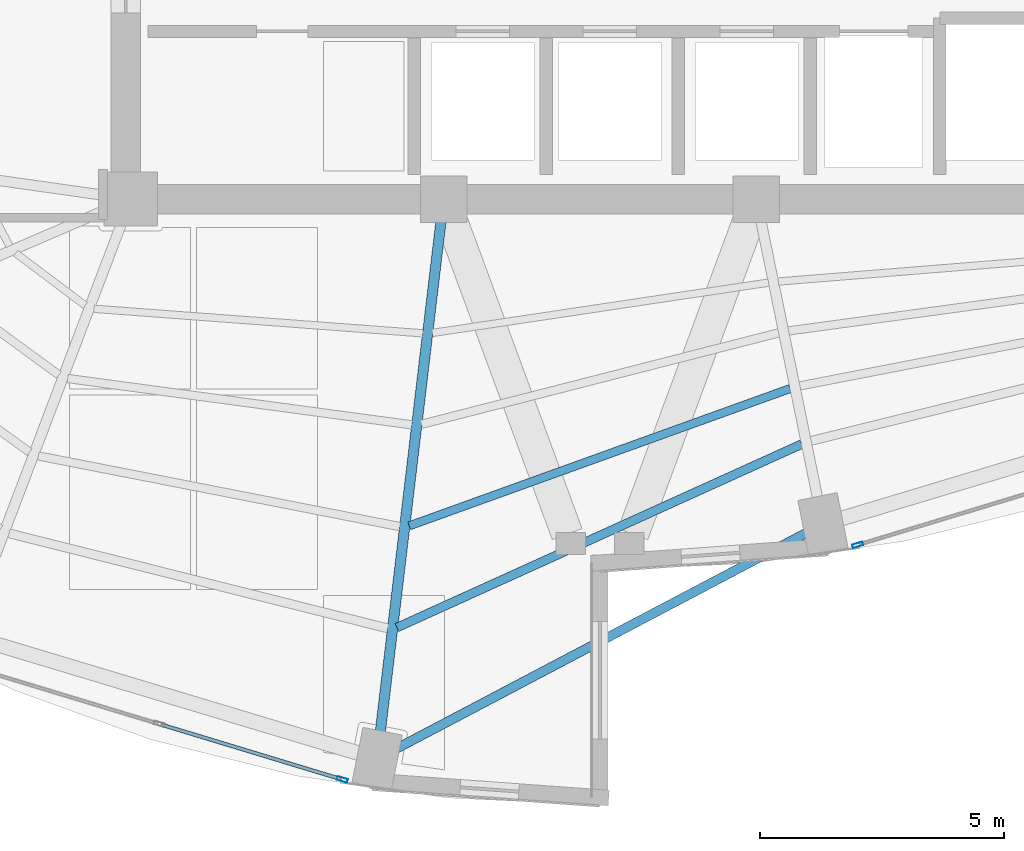
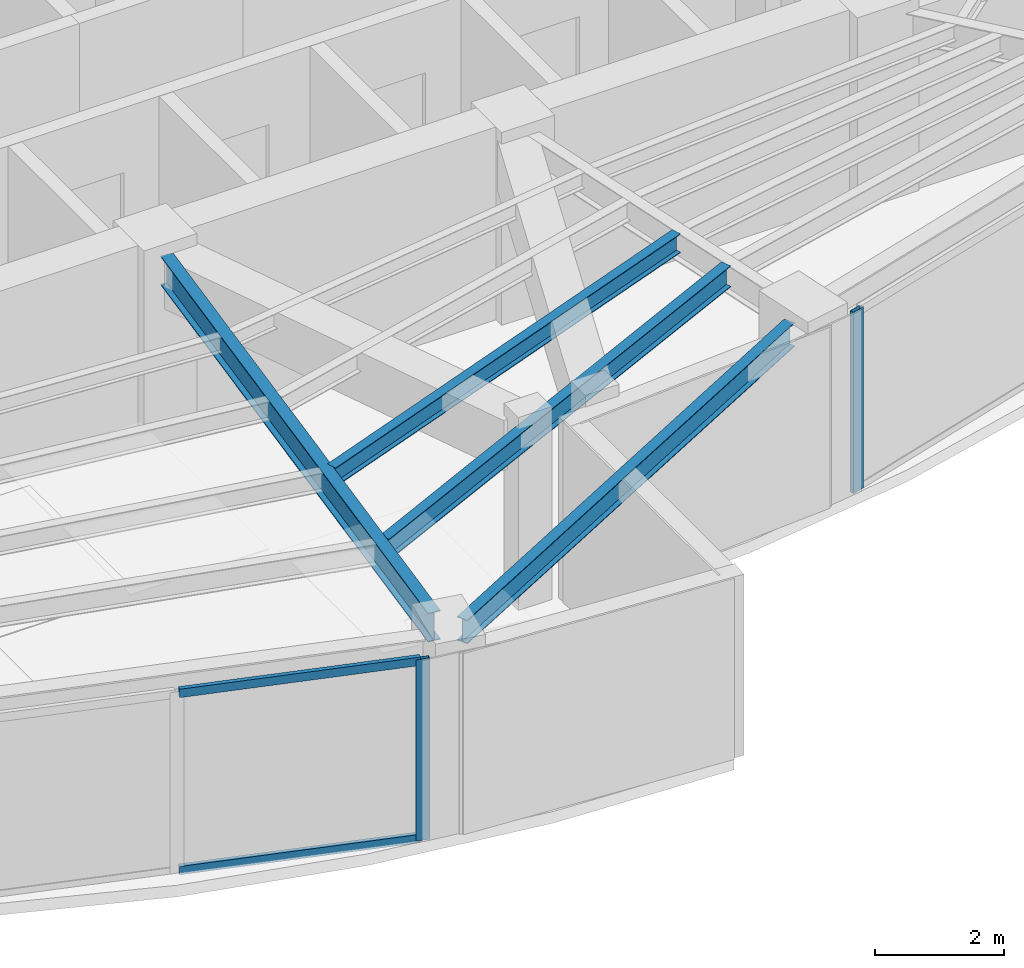
# One storey, part 4 of 19: 4 beams, 4 members, 2 elements without a shape of their own.
"""IFC4 building model written with IfcOpenShell, lengths in metres."""

from ifc_helpers import new_model, si_unit, direction, frame, origin, origin_2d, place, context, subcontext, project, spatial, hollow_rectangle, i_section, extrude, material, layer, layer_set, material_profile, profile_set, type_object, element, aggregate, save


model = new_model("IFC4")

# Units and contexts
model_context = context("Model", 3, precision=1e-05, world=origin(), true_north=direction((0.0, 1.0)))
body_context = subcontext(model_context, "Body", "Model", "MODEL_VIEW")
ifc_project = project(units=[si_unit("LENGTHUNIT", "METRE"), si_unit("AREAUNIT", "SQUARE_METRE"), si_unit("VOLUMEUNIT", "CUBIC_METRE"), si_unit("PLANEANGLEUNIT", "RADIAN"), si_unit("MASSUNIT", "GRAM", prefix="KILO")], contexts=[model_context])

# Site, building, storey
site_placement = place(None, origin())
site = spatial("IfcSite", under=ifc_project, at=site_placement, CompositionType="ELEMENT")
building_placement = place(site_placement, origin())
building = spatial("IfcBuilding", under=site, at=building_placement, Name="Lazwardi Medical Tower", CompositionType="ELEMENT")
storey_placement = place(building_placement, frame((0.0, 0.0, 167.471923828125)))
storey = spatial("IfcBuildingStorey", under=building, at=storey_placement, Name="L43", CompositionType="ELEMENT", Elevation=167.471923828125)

# Beams
ifc_material_1 = material(Name="Steel S355", Category="steel")
ifc_material_profile_1 = material_profile(ifc_material_1, i_section(OverallWidth=0.2099609375, OverallDepth=0.550048828125, WebThickness=0.010986328125, FlangeThickness=0.01708984375, at=origin_2d()), Name="IPE 550")
ifc_profile_set_1 = profile_set([ifc_material_profile_1], Name="Steel S355")
beam_type_1 = type_object("IfcBeamType", Name="BM-RG-W2", PredefinedType="BEAM", material=ifc_profile_set_1)
beam_1_placement = place(storey_placement, frame((31.505859375, 9.50732421875, 3.153076171875), z_axis=(0.117968004211, 0.993017396616, 0.0), x_axis=(-0.993017396616, 0.117968004211, 0.0)))
element("IfcBeam", 1, at=beam_1_placement, inside=storey, type_object=beam_type_1, Name="Radial girder RG-03 R16 L43", PredefinedType="BEAM", context=body_context, shape_type="SweptSolid", body=[
    extrude(i_section(OverallWidth=0.2099609375, OverallDepth=0.550048828125, WebThickness=0.010986328125, FlangeThickness=0.01708984375, at=origin_2d()), origin(), (0.0, 0.0, 1.0), 10.50927734375),
])
ifc_material_profile_2 = material_profile(ifc_material_1, i_section(OverallWidth=0.179931640625, OverallDepth=0.39990234375, WebThickness=0.008544921875, FlangeThickness=0.013427734375, at=origin_2d()), Name="IPE 400")
ifc_profile_set_2 = profile_set([ifc_material_profile_2], Name="Steel S355")
beam_type_2 = type_object("IfcBeamType", Name="BM-SJ-01", PredefinedType="JOIST", material=ifc_profile_set_2)
beam_2_placement = place(storey_placement, frame((31.844970703125, 11.6357421875, 3.22802734375), z_axis=(0.910834000674, 0.412772846995, 0.0), x_axis=(-0.412772846995, 0.910834000674, 0.0)))
element("IfcBeam", 2, at=beam_2_placement, inside=storey, type_object=beam_type_2, Name="Secondary joist SJ-01 R1 B16 L43", PredefinedType="JOIST", context=body_context, shape_type="SweptSolid", body=[
    extrude(i_section(OverallWidth=0.179931640625, OverallDepth=0.39990234375, WebThickness=0.008544921875, FlangeThickness=0.013427734375, at=origin_2d()), origin(), (0.0, 0.0, 1.0), 9.09130859375),
])
ifc_material_profile_3 = material_profile(ifc_material_1, i_section(OverallWidth=0.169921875, OverallDepth=0.360107421875, WebThickness=0.008056640625, FlangeThickness=0.0126953125, at=origin_2d()), Name="IPE 360")
ifc_profile_set_3 = profile_set([ifc_material_profile_3], Name="Steel S355")
beam_type_3 = type_object("IfcBeamType", Name="BM-SJ-02", PredefinedType="JOIST", material=ifc_profile_set_3)
beam_3_placement = place(storey_placement, frame((32.095947265625, 13.715576171875, 3.248046875), z_axis=(0.940747993319, 0.339106492221, 0.0), x_axis=(-0.339106492221, 0.940747993319, 0.0)))
element("IfcBeam", 3, at=beam_3_placement, inside=storey, type_object=beam_type_3, Name="Secondary joist SJ-02 R2 B16 L43", PredefinedType="JOIST", context=body_context, shape_type="SweptSolid", body=[
    extrude(i_section(OverallWidth=0.169921875, OverallDepth=0.360107421875, WebThickness=0.008056640625, FlangeThickness=0.0126953125, at=origin_2d()), origin(), (0.0, 0.0, 1.0), 8.28662109375),
])
ifc_material_profile_4 = material_profile(ifc_material_1, i_section(OverallWidth=0.18994140625, OverallDepth=0.449951171875, WebThickness=0.009521484375, FlangeThickness=0.0146484375, at=origin_2d()), Name="IPE 450")
ifc_profile_set_4 = profile_set([ifc_material_profile_4], Name="Steel S355")
beam_type_4 = type_object("IfcBeamType", Name="BM-SP-01", PredefinedType="SPANDREL", material=ifc_profile_set_4)
beam_4_placement = place(storey_placement, frame((31.793701171875, 9.137451171875, 3.203125), z_axis=(0.884926578414, 0.465730556026, 0.0), x_axis=(-0.465730556026, 0.884926578414, 0.0)))
element("IfcBeam", 4, at=beam_4_placement, inside=storey, type_object=beam_type_4, Name="Spandrel beam SP-01 B16 L43", PredefinedType="SPANDREL", context=body_context, shape_type="SweptSolid", body=[
    extrude(i_section(OverallWidth=0.18994140625, OverallDepth=0.449951171875, WebThickness=0.009521484375, FlangeThickness=0.0146484375, at=origin_2d()), origin(), (0.0, 0.0, 1.0), 9.506591796875),
])

# Curtain wall, member
ifc_material_2 = material(Name="Anodised bronze aluminium and solar control glazing", Category="aluminium")
ifc_layer = layer(ifc_material_2, 0.195068359375)
ifc_layer_set = layer_set([ifc_layer], Name="Anodised bronze aluminium and solar control glazing")
curtain_wall_type = type_object("IfcCurtainWallType", Name="CW-SYS-03", PredefinedType="NOTDEFINED", material=ifc_layer_set)
curtain_wall_1_placement = place(storey_placement, origin())
curtain_wall_1 = element("IfcCurtainWall", 5, at=curtain_wall_1_placement, inside=storey, type_object=curtain_wall_type, Name="L43 Unitised bronze curtain wall CW-03", PredefinedType="NOTDEFINED")
ifc_material_3 = material(Name="Anodised bronze aluminium", Category="aluminium")
ifc_material_profile_5 = material_profile(ifc_material_3, hollow_rectangle(XDim=0.074951171875, YDim=0.219970703125, WallThickness=0.00390625, at=origin_2d()), Name="ALU-MULLION 220x75x4")
ifc_profile_set_5 = profile_set([ifc_material_profile_5], Name="Anodised bronze aluminium")
member_type_1 = type_object("IfcMemberType", Name="CW-MUL-01", PredefinedType="MULLION", material=ifc_profile_set_5)
member_1_placement = place(storey_placement, frame((41.27197265625, 13.325927734375, 0.0), z_axis=(0.0, 0.0, 1.0), x_axis=(-0.290280785441, 0.956941516292, 0.0)))
member_1 = element("IfcMember", 6, at=member_1_placement, type_object=member_type_1, Name="CW-03 mullion 1", PredefinedType="MULLION", context=body_context, shape_type="SweptSolid", body=[
    extrude(hollow_rectangle(XDim=0.074951171875, YDim=0.219970703125, WallThickness=0.00390625, at=origin_2d()), origin(), (0.0, 0.0, 1.0), 3.427978515625),
])
aggregate(curtain_wall_1, [member_1])

# Curtain wall, members
curtain_wall_2_placement = place(storey_placement, origin())
curtain_wall_2 = element("IfcCurtainWall", 7, at=curtain_wall_2_placement, inside=storey, type_object=curtain_wall_type, Name="L43 Unitised bronze curtain wall CW-03", PredefinedType="NOTDEFINED")
member_2_placement = place(storey_placement, frame((30.72802734375, 8.52587890625, 0.0), z_axis=(0.0, 0.0, 1.0), x_axis=(0.290280785441, 0.956941516292, 0.0)))
member_2 = element("IfcMember", 8, at=member_2_placement, type_object=member_type_1, Name="CW-03 mullion 3", PredefinedType="MULLION", context=body_context, shape_type="SweptSolid", body=[
    extrude(hollow_rectangle(XDim=0.074951171875, YDim=0.219970703125, WallThickness=0.00390625, at=origin_2d()), origin(), (0.0, 0.0, 1.0), 3.427978515625),
])
ifc_material_profile_6 = material_profile(ifc_material_3, hollow_rectangle(XDim=0.074951171875, YDim=0.159912109375, WallThickness=0.00390625, at=origin_2d()), Name="ALU-TRANSOM 160x75x4")
ifc_profile_set_6 = profile_set([ifc_material_profile_6], Name="Anodised bronze aluminium")
member_type_2 = type_object("IfcMemberType", Name="CW-TRN-01", PredefinedType="USERDEFINED", material=ifc_profile_set_6)
member_3_placement = place(storey_placement, frame((27.020751953125, 9.650390625, 0.03759765625), z_axis=(0.95695319357, -0.290242287264, 0.0), x_axis=(0.290242287264, 0.95695319357, 0.0)))
member_3 = element("IfcMember", 9, at=member_3_placement, type_object=member_type_2, Name="CW-03 transom 2.1", ObjectType="TRANSOM", PredefinedType="USERDEFINED", context=body_context, shape_type="SweptSolid", body=[
    extrude(hollow_rectangle(XDim=0.074951171875, YDim=0.159912109375, WallThickness=0.00390625, at=origin_2d()), origin(), (0.0, 0.0, 1.0), 3.83642578125),
])
member_4_placement = place(storey_placement, frame((27.020751953125, 9.650390625, 3.390625), z_axis=(0.95695319357, -0.290242287264, 0.0), x_axis=(0.290242287264, 0.95695319357, 0.0)))
member_4 = element("IfcMember", 10, at=member_4_placement, type_object=member_type_2, Name="CW-03 transom 2.2", ObjectType="TRANSOM", PredefinedType="USERDEFINED", context=body_context, shape_type="SweptSolid", body=[
    extrude(hollow_rectangle(XDim=0.074951171875, YDim=0.159912109375, WallThickness=0.00390625, at=origin_2d()), origin(), (0.0, 0.0, 1.0), 3.83642578125),
])
aggregate(curtain_wall_2, [member_2, member_3, member_4])

save(model, "model.ifc")
